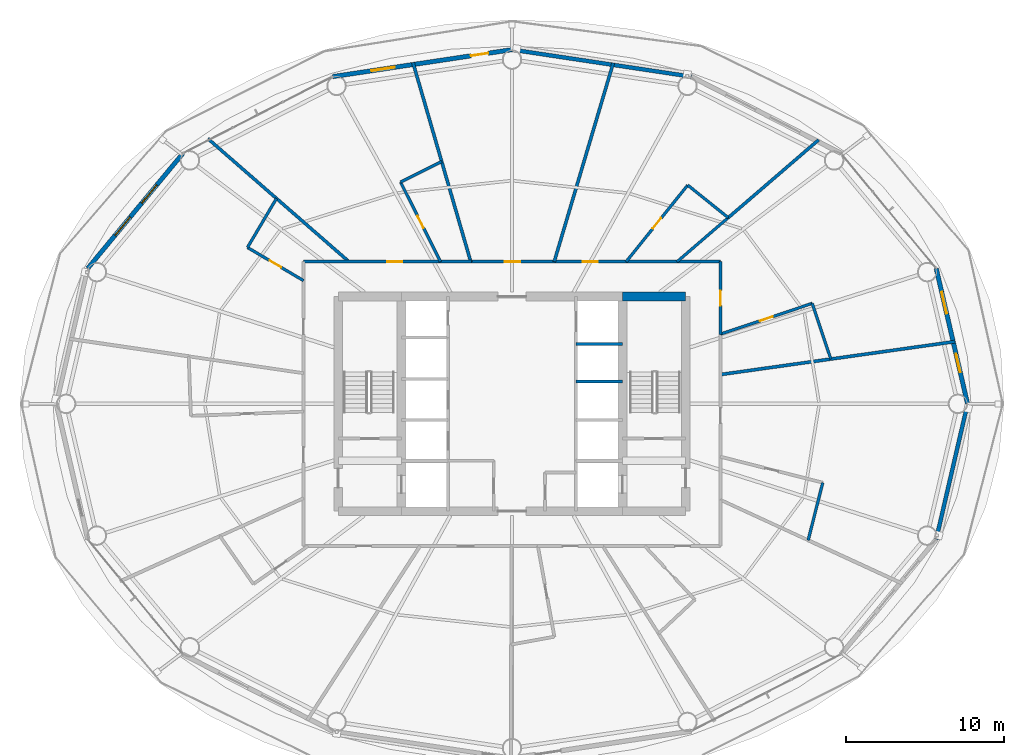
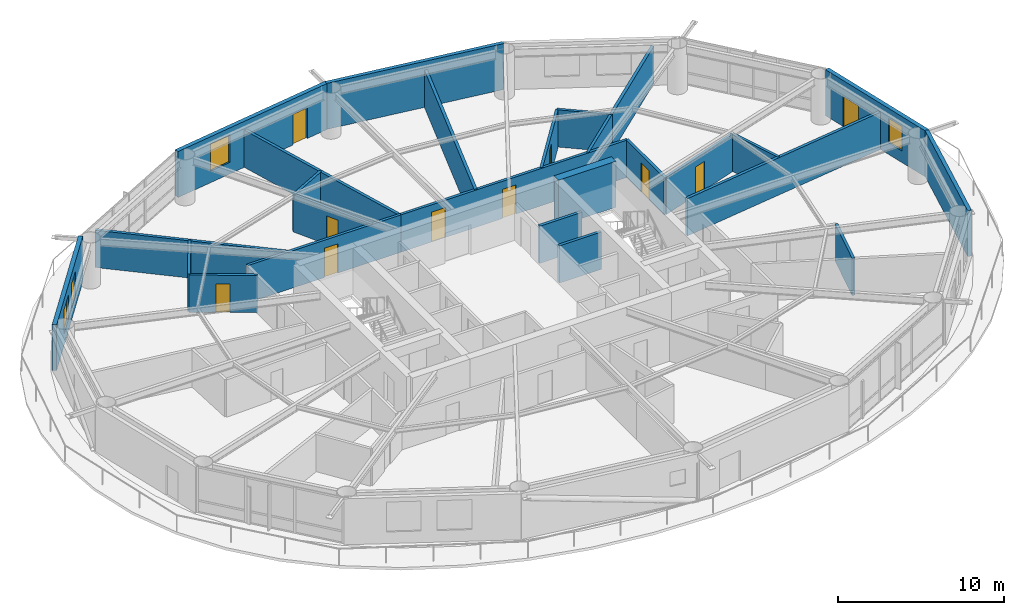
# One storey, part 20 of 24: 26 walls, 10 doors, 4 windows, 14 openings.
"""IFC4 building model written with IfcOpenShell, lengths in metres."""

from ifc_helpers import new_model, si_unit, direction, frame, frame_2d, origin, place, context, subcontext, project, spatial, rectangle, extrude, material, layer, layer_set, type_object, element, fill, save


model = new_model("IFC4")

# Units and contexts
model_context = context("Model", 3, precision=1e-05, world=origin(), true_north=direction((0.0, 1.0)))
body_context = subcontext(model_context, "Body", "Model", "MODEL_VIEW")
ifc_project = project(units=[si_unit("LENGTHUNIT", "METRE"), si_unit("AREAUNIT", "SQUARE_METRE"), si_unit("VOLUMEUNIT", "CUBIC_METRE"), si_unit("PLANEANGLEUNIT", "RADIAN"), si_unit("MASSUNIT", "GRAM", prefix="KILO")], contexts=[model_context])

# Site, building, storey
site_placement = place(None, origin())
site = spatial("IfcSite", under=ifc_project, at=site_placement, CompositionType="ELEMENT")
building_placement = place(site_placement, origin())
building = spatial("IfcBuilding", under=site, at=building_placement, Name="Sarneth Arch Tower", CompositionType="ELEMENT")
storey_placement = place(building_placement, frame((0.0, 0.0, 116.39990234375)))
storey = spatial("IfcBuildingStorey", under=building, at=storey_placement, Name="L29", CompositionType="ELEMENT", Elevation=116.39990234375)

# Wall
ifc_material_1 = material(Name="Concrete C60/75", Category="concrete")
ifc_layer_1 = layer(ifc_material_1, 0.550048828125)
ifc_layer_set_1 = layer_set([ifc_layer_1], Name="Concrete C60/75")
wall_type_1 = type_object("IfcWallType", Name="WALL-CORE-550", PredefinedType="SHEAR", material=ifc_layer_set_1)
wall_1_placement = place(storey_placement, frame((55.0, 48.800048828125, 0.0), z_axis=(0.0, 0.0, 1.0), x_axis=(1.0, 0.0, 0.0)))
element("IfcWall", 1, at=wall_1_placement, inside=storey, type_object=wall_type_1, Name="L29 Core shear wall N-E", PredefinedType="SHEAR", context=body_context, shape_type="SweptSolid", body=[
    extrude(rectangle(XDim=4.0, YDim=0.550048828125, at=frame_2d((2.0, 0.0))), origin(), (0.0, 0.0, 1.0), 3.380126953125),
])

# Wall, opening, door
ifc_material_2 = material(Name="Double steel-stud corridor fire wall", Category="steel")
ifc_layer_2 = layer(ifc_material_2, 0.18994140625)
ifc_layer_set_2 = layer_set([ifc_layer_2], Name="Double steel-stud corridor fire wall")
wall_type_2 = type_object("IfcWallType", Name="WALL-CORR-190", PredefinedType="PARTITIONING", material=ifc_layer_set_2)
wall_2_placement = place(storey_placement, frame((34.800048828125, 51.0, 0.0), z_axis=(0.0, 0.0, 1.0), x_axis=(1.0, 0.0, 0.0)))
wall_2 = element("IfcWall", 2, at=wall_2_placement, inside=storey, type_object=wall_type_2, Name="L29 Interior partition W-L29-TP-007", PredefinedType="PARTITIONING", context=body_context, shape_type="SweptSolid", body=[
    extrude(rectangle(XDim=10.62158203125, YDim=0.18994140625, at=frame_2d((5.310791015625, 0.0))), origin(), (0.0, 0.0, 1.0), 2.739990234375),
])
opening_1_placement = place(wall_2_placement, frame((5.296875, 0.0, 0.0)))
opening_1 = element("IfcOpeningElement", 3, at=opening_1_placement, cuts=wall_2, Name="Opening FD-09", PredefinedType="OPENING", context=body_context, shape_type="SweptSolid", body=[
    extrude(rectangle(XDim=0.949951171875, YDim=2.14990234375, at=frame_2d((0.47509765625, 1.074951171875))), frame((0.0, 0.10498046875, 0.0), z_axis=(0.0, -1.0, 0.0), x_axis=(1.0, 0.0, 0.0)), (0.0, 0.0, 1.0), 0.2099609375),
])
ifc_material_3 = material(Name="Hardwood timber hotel entrance fire door", Category="wood")
door_type_1 = type_object("IfcDoorType", Name="DR-FD60-950", OperationType="SINGLE_SWING_RIGHT", PredefinedType="DOOR", material=ifc_material_3)
door_1_placement = place(opening_1_placement, origin())
door_1 = element("IfcDoor", 4, at=door_1_placement, inside=storey, type_object=door_type_1, Name="L29 Interior door DR-L29-KEY-04", OperationType="SINGLE_SWING_LEFT", OverallHeight=2.14990234375, OverallWidth=0.949951171875, PredefinedType="DOOR", context=body_context, shape_type="SweptSolid", body=[
    extrude(rectangle(XDim=0.949951171875, YDim=2.14990234375, at=frame_2d((0.47509765625, 1.074951171875))), frame((0.0, 0.02490234375, 0.0), z_axis=(0.0, -1.0, 0.0), x_axis=(1.0, 0.0, 0.0)), (0.0, 0.0, 1.0), 0.050048828125),
])
fill(opening_1, door_1)

# Wall, openings, doors
wall_3_placement = place(storey_placement, frame((45.35498046875, 51.0, 0.0), z_axis=(0.0, 0.0, 1.0), x_axis=(1.0, 0.0, 0.0)))
wall_3 = element("IfcWall", 5, at=wall_3_placement, inside=storey, type_object=wall_type_2, Name="L29 Interior partition W-L29-TP-006", PredefinedType="PARTITIONING", context=body_context, shape_type="SweptSolid", body=[
    extrude(rectangle(XDim=15.844970703125, YDim=0.18994140625, at=frame_2d((7.92236328125, 0.0))), origin(), (0.0, 0.0, 1.0), 2.739990234375),
])
opening_2_placement = place(wall_3_placement, frame((2.176025390625, 0.0, 0.0)))
opening_2 = element("IfcOpeningElement", 6, at=opening_2_placement, cuts=wall_3, Name="Opening FD-08", PredefinedType="OPENING", context=body_context, shape_type="SweptSolid", body=[
    extrude(rectangle(XDim=1.0, YDim=2.199951171875, at=frame_2d((0.5, 1.10009765625))), frame((0.0, 0.10498046875, 0.0), z_axis=(0.0, -1.0, 0.0), x_axis=(1.0, 0.0, 0.0)), (0.0, 0.0, 1.0), 0.2099609375),
])
opening_3_placement = place(wall_3_placement, frame((7.125, 0.0, 0.0)))
opening_3 = element("IfcOpeningElement", 7, at=opening_3_placement, cuts=wall_3, Name="Opening FD-09", PredefinedType="OPENING", context=body_context, shape_type="SweptSolid", body=[
    extrude(rectangle(XDim=0.949951171875, YDim=2.14990234375, at=frame_2d((0.47509765625, 1.074951171875))), frame((0.0, 0.10498046875, 0.0), z_axis=(0.0, -1.0, 0.0), x_axis=(1.0, 0.0, 0.0)), (0.0, 0.0, 1.0), 0.2099609375),
])
ifc_material_4 = material(Name="Hardwood timber acoustic fire door", Category="wood")
door_type_2 = type_object("IfcDoorType", Name="DR-FD60-1000", OperationType="SINGLE_SWING_LEFT", PredefinedType="DOOR", material=ifc_material_4)
door_2_placement = place(opening_2_placement, origin())
door_2 = element("IfcDoor", 8, at=door_2_placement, inside=storey, type_object=door_type_2, Name="L29 Interior door DR-L29-AMN-03", OperationType="SINGLE_SWING_RIGHT", OverallHeight=2.199951171875, OverallWidth=1.0, PredefinedType="DOOR", context=body_context, shape_type="SweptSolid", body=[
    extrude(rectangle(XDim=1.0, YDim=2.199951171875, at=frame_2d((0.5, 1.10009765625))), frame((0.0, 0.02490234375, 0.0), z_axis=(0.0, -1.0, 0.0), x_axis=(1.0, 0.0, 0.0)), (0.0, 0.0, 1.0), 0.050048828125),
])
fill(opening_2, door_2)
door_3_placement = place(opening_3_placement, origin())
door_3 = element("IfcDoor", 9, at=door_3_placement, inside=storey, type_object=door_type_1, Name="L29 Interior door DR-L29-KEY-02", OperationType="SINGLE_SWING_RIGHT", OverallHeight=2.14990234375, OverallWidth=0.949951171875, PredefinedType="DOOR", context=body_context, shape_type="SweptSolid", body=[
    extrude(rectangle(XDim=0.949951171875, YDim=2.14990234375, at=frame_2d((0.47509765625, 1.074951171875))), frame((0.0, 0.02490234375, 0.0), z_axis=(0.0, -1.0, 0.0), x_axis=(1.0, 0.0, 0.0)), (0.0, 0.0, 1.0), 0.050048828125),
])
fill(opening_3, door_3)

# Wall, opening, door
wall_4_placement = place(storey_placement, frame((61.199951171875, 51.0, 0.0), z_axis=(0.0, 0.0, 1.0), x_axis=(0.0, -1.0, 0.0)))
wall_4 = element("IfcWall", 10, at=wall_4_placement, inside=storey, type_object=wall_type_2, Name="L29 Interior partition W-L29-TP-002", PredefinedType="PARTITIONING", context=body_context, shape_type="SweptSolid", body=[
    extrude(rectangle(XDim=4.616943359375, YDim=0.18994140625, at=frame_2d((2.30859375, 0.0))), origin(), (0.0, 0.0, 1.0), 2.739990234375),
])
opening_4_placement = place(wall_4_placement, frame((1.83349609375, 0.0, 0.0)))
opening_4 = element("IfcOpeningElement", 11, at=opening_4_placement, cuts=wall_4, Name="Opening FD-09", PredefinedType="OPENING", context=body_context, shape_type="SweptSolid", body=[
    extrude(rectangle(XDim=0.949951171875, YDim=2.14990234375, at=frame_2d((0.47509765625, 1.074951171875))), frame((0.0, 0.10498046875, 0.0), z_axis=(0.0, -1.0, 0.0), x_axis=(1.0, 0.0, 0.0)), (0.0, 0.0, 1.0), 0.2099609375),
])
door_4_placement = place(opening_4_placement, origin())
door_4 = element("IfcDoor", 12, at=door_4_placement, inside=storey, type_object=door_type_1, Name="L29 Interior door DR-L29-KEY-01", OperationType="SINGLE_SWING_LEFT", OverallHeight=2.14990234375, OverallWidth=0.949951171875, PredefinedType="DOOR", context=body_context, shape_type="SweptSolid", body=[
    extrude(rectangle(XDim=0.949951171875, YDim=2.14990234375, at=frame_2d((0.47509765625, 1.074951171875))), frame((0.0, 0.02490234375, 0.0), z_axis=(0.0, -1.0, 0.0), x_axis=(1.0, 0.0, 0.0)), (0.0, 0.0, 1.0), 0.050048828125),
])
fill(opening_4, door_4)

# Walls
ifc_material_5 = material(Name="Extruded terracotta rainscreen on Concrete C40/50 backing", Category="masonry")
ifc_layer_3 = layer(ifc_material_5, 0.25)
ifc_layer_set_3 = layer_set([ifc_layer_3], Name="Extruded terracotta rainscreen on Concrete C40/50 backing")
wall_type_3 = type_object("IfcWallType", Name="WALL-EXT-SPAND-250", PredefinedType="SOLIDWALL", material=ifc_layer_set_3)
wall_5_placement = place(storey_placement, frame((59.351318359375, 62.72265625, 0.0), z_axis=(0.0, 0.0, 1.0), x_axis=(-0.988877774656, 0.148730450117, 0.0)))
element("IfcWall", 13, at=wall_5_placement, inside=storey, type_object=wall_type_3, Name="L29 Terracotta perimeter wall 04", PredefinedType="SOLIDWALL", context=body_context, shape_type="SweptSolid", body=[
    extrude(rectangle(XDim=11.47900390625, YDim=0.25, at=frame_2d((5.739501953125, 0.0))), origin(), (0.0, 0.0, 1.0), 3.380126953125),
])
wall_6_placement = place(storey_placement, frame((74.861328125, 33.41650390625, 0.0), z_axis=(0.0, 0.0, 1.0), x_axis=(0.22558597182, 0.974223264616, 0.0)))
element("IfcWall", 14, at=wall_6_placement, inside=storey, type_object=wall_type_3, Name="L29 Terracotta perimeter wall 16", PredefinedType="SOLIDWALL", context=body_context, shape_type="SweptSolid", body=[
    extrude(rectangle(XDim=8.810546875, YDim=0.25, at=frame_2d((4.4052734375, 0.0))), origin(), (0.0, 0.0, 1.0), 3.380126953125),
])

# Wall, openings, door, window
ifc_material_6 = material(Name="Extruded terracotta rainscreen on Concrete C40/50 backing", Category="masonry")
ifc_layer_4 = layer(ifc_material_6, 0.280029296875)
ifc_layer_set_4 = layer_set([ifc_layer_4], Name="Extruded terracotta rainscreen on Concrete C40/50 backing")
wall_type_4 = type_object("IfcWallType", Name="WALL-EXT-TERRA-280", PredefinedType="SOLIDWALL", material=ifc_layer_set_4)
wall_7_placement = place(storey_placement, frame((76.848876953125, 42.0, 0.0), z_axis=(0.0, 0.0, 1.0), x_axis=(-0.22558597182, 0.974223264616, 0.0)))
wall_7 = element("IfcWall", 15, at=wall_7_placement, inside=storey, type_object=wall_type_4, Name="L29 Terracotta perimeter wall 01", PredefinedType="SOLIDWALL", context=body_context, shape_type="SweptSolid", body=[
    extrude(rectangle(XDim=8.810546875, YDim=0.280029296875, at=frame_2d((4.4052734375, 0.0))), origin(), (0.0, 0.0, 1.0), 3.380126953125),
])
opening_5_placement = place(wall_7_placement, frame((2.05419921875, 0.0, 0.85009765625)))
opening_5 = element("IfcOpeningElement", 16, at=opening_5_placement, cuts=wall_7, Name="Opening W-09", PredefinedType="OPENING", context=body_context, shape_type="SweptSolid", body=[
    extrude(rectangle(XDim=1.199951171875, YDim=1.800048828125, at=frame_2d((0.60009765625, 0.89990234375))), frame((0.0, 0.14990234375, 0.0), z_axis=(0.0, -1.0, 0.0), x_axis=(1.0, 0.0, 0.0)), (0.0, 0.0, 1.0), 0.300048828125),
])
opening_6_placement = place(wall_7_placement, frame((5.87451171875, 0.0, 0.0)))
opening_6 = element("IfcOpeningElement", 17, at=opening_6_placement, cuts=wall_7, Name="Opening BD-2", PredefinedType="OPENING", context=body_context, shape_type="SweptSolid", body=[
    extrude(rectangle(XDim=1.39990234375, YDim=2.199951171875, at=frame_2d((0.699951171875, 1.10009765625))), frame((0.0, 0.14990234375, 0.0), z_axis=(0.0, -1.0, 0.0), x_axis=(1.0, 0.0, 0.0)), (0.0, 0.0, 1.0), 0.300048828125),
])
ifc_material_7 = material(Name="Thermally broken Aluminium 6063-T6 and laminated safety glass", Category="aluminium")
door_type_3 = type_object("IfcDoorType", Name="DR-BALC-GLZ-1400", OperationType="SINGLE_SWING_LEFT", PredefinedType="DOOR", material=ifc_material_7)
door_5_placement = place(opening_6_placement, origin())
door_5 = element("IfcDoor", 18, at=door_5_placement, inside=storey, type_object=door_type_3, Name="L29 Balcony glazed door 01", OperationType="SINGLE_SWING_LEFT", OverallHeight=2.199951171875, OverallWidth=1.39990234375, PredefinedType="DOOR", context=body_context, shape_type="SweptSolid", body=[
    extrude(rectangle(XDim=1.39990234375, YDim=2.199951171875, at=frame_2d((0.699951171875, 1.10009765625))), frame((0.0, 0.02490234375, 0.0), z_axis=(0.0, -1.0, 0.0), x_axis=(1.0, 0.0, 0.0)), (0.0, 0.0, 1.0), 0.050048828125),
])
fill(opening_6, door_5)
ifc_material_8 = material(Name="Thermally broken Aluminium 6063-T6 and low-e laminated IGU", Category="aluminium")
window_type_1 = type_object("IfcWindowType", Name="WIN-TWR-1200x1800", PartitioningType="SINGLE_PANEL", PredefinedType="WINDOW", material=ifc_material_8)
window_1_placement = place(opening_5_placement, origin())
window_1 = element("IfcWindow", 19, at=window_1_placement, inside=storey, type_object=window_type_1, Name="L29 Exterior window 01A", OverallHeight=1.800048828125, OverallWidth=1.199951171875, PartitioningType="SINGLE_PANEL", PredefinedType="WINDOW", context=body_context, shape_type="SweptSolid", body=[
    extrude(rectangle(XDim=1.199951171875, YDim=1.800048828125, at=frame_2d((0.60009765625, 0.89990234375))), frame((0.0, 0.030029296875, 0.0), z_axis=(0.0, -1.0, 0.0), x_axis=(1.0, 0.0, 0.0)), (0.0, 0.0, 1.0), 0.06005859375),
])
fill(opening_5, window_1)

wall_8_placement = place(storey_placement, frame((48.0, 64.429931640625, 0.0), z_axis=(0.0, 0.0, 1.0), x_axis=(-0.988877774656, -0.148730450117, 0.0)))
wall_8 = element("IfcWall", 20, at=wall_8_placement, inside=storey, type_object=wall_type_4, Name="L29 Terracotta perimeter wall 05", PredefinedType="SOLIDWALL", context=body_context, shape_type="SweptSolid", body=[
    extrude(rectangle(XDim=11.47900390625, YDim=0.280029296875, at=frame_2d((5.739501953125, 0.0))), origin(), (0.0, 0.0, 1.0), 3.380126953125),
])
opening_7_placement = place(wall_8_placement, frame((1.523681640625, 0.0, 0.0)))
opening_7 = element("IfcOpeningElement", 21, at=opening_7_placement, cuts=wall_8, Name="Opening BD-3", PredefinedType="OPENING", context=body_context, shape_type="SweptSolid", body=[
    extrude(rectangle(XDim=1.10009765625, YDim=2.25, at=frame_2d((0.550048828125, 1.125))), frame((0.0, 0.14990234375, 0.0), z_axis=(0.0, -1.0, 0.0), x_axis=(1.0, 0.0, 0.0)), (0.0, 0.0, 1.0), 0.300048828125),
])
opening_8_placement = place(wall_8_placement, frame((7.5, 0.0, 0.85009765625)))
opening_8 = element("IfcOpeningElement", 22, at=opening_8_placement, cuts=wall_8, Name="Opening W-06", PredefinedType="OPENING", context=body_context, shape_type="SweptSolid", body=[
    extrude(rectangle(XDim=1.5, YDim=2.0, at=frame_2d((0.75, 1.0))), frame((0.0, 0.14990234375, 0.0), z_axis=(0.0, -1.0, 0.0), x_axis=(1.0, 0.0, 0.0)), (0.0, 0.0, 1.0), 0.300048828125),
])
ifc_material_9 = material(Name="Thermally broken Aluminium 6063-T6 and laminated safety glass", Category="aluminium")
door_type_4 = type_object("IfcDoorType", Name="DR-BALC-GLZ-1100", OperationType="SINGLE_SWING_LEFT", PredefinedType="DOOR", material=ifc_material_9)
door_6_placement = place(opening_7_placement, origin())
door_6 = element("IfcDoor", 23, at=door_6_placement, inside=storey, type_object=door_type_4, Name="L29 Balcony glazed door 05", OperationType="SINGLE_SWING_LEFT", OverallHeight=2.25, OverallWidth=1.10009765625, PredefinedType="DOOR", context=body_context, shape_type="SweptSolid", body=[
    extrude(rectangle(XDim=1.10009765625, YDim=2.25, at=frame_2d((0.550048828125, 1.125))), frame((0.0, 0.02490234375, 0.0), z_axis=(0.0, -1.0, 0.0), x_axis=(1.0, 0.0, 0.0)), (0.0, 0.0, 1.0), 0.050048828125),
])
fill(opening_7, door_6)
ifc_material_10 = material(Name="Thermally broken Aluminium 6063-T6 and low-e laminated IGU", Category="aluminium")
window_type_2 = type_object("IfcWindowType", Name="WIN-TWR-1500x2000", PartitioningType="SINGLE_PANEL", PredefinedType="WINDOW", material=ifc_material_10)
window_2_placement = place(opening_8_placement, origin())
window_2 = element("IfcWindow", 24, at=window_2_placement, inside=storey, type_object=window_type_2, Name="L29 Exterior window 05A", OverallHeight=2.0, OverallWidth=1.5, PartitioningType="SINGLE_PANEL", PredefinedType="WINDOW", context=body_context, shape_type="SweptSolid", body=[
    extrude(rectangle(XDim=1.5, YDim=2.0, at=frame_2d((0.75, 1.0))), frame((0.0, 0.030029296875, 0.0), z_axis=(0.0, -1.0, 0.0), x_axis=(1.0, 0.0, 0.0)), (0.0, 0.0, 1.0), 0.06005859375),
])
fill(opening_8, window_2)

# Wall, openings, windows
wall_9_placement = place(storey_placement, frame((27.159912109375, 57.8603515625, 0.0), z_axis=(0.0, 0.0, 1.0), x_axis=(-0.637505817448, -0.770445541696, 0.0)))
wall_9 = element("IfcWall", 25, at=wall_9_placement, inside=storey, type_object=wall_type_4, Name="L29 Terracotta perimeter wall 07", PredefinedType="SOLIDWALL", context=body_context, shape_type="SweptSolid", body=[
    extrude(rectangle(XDim=9.445068359375, YDim=0.280029296875, at=frame_2d((4.72265625, 0.0))), origin(), (0.0, 0.0, 1.0), 3.380126953125),
])
opening_9_placement = place(wall_9_placement, frame((2.5966796875, 0.0, 0.85009765625)))
opening_9 = element("IfcOpeningElement", 26, at=opening_9_placement, cuts=wall_9, Name="Opening W-07", PredefinedType="OPENING", context=body_context, shape_type="SweptSolid", body=[
    extrude(rectangle(XDim=1.5, YDim=1.800048828125, at=frame_2d((0.75, 0.89990234375))), frame((0.0, 0.14990234375, 0.0), z_axis=(0.0, -1.0, 0.0), x_axis=(1.0, 0.0, 0.0)), (0.0, 0.0, 1.0), 0.300048828125),
])
opening_10_placement = place(wall_9_placement, frame((5.23193359375, 0.0, 0.85009765625)))
opening_10 = element("IfcOpeningElement", 27, at=opening_10_placement, cuts=wall_9, Name="Opening W-07", PredefinedType="OPENING", context=body_context, shape_type="SweptSolid", body=[
    extrude(rectangle(XDim=1.5, YDim=1.800048828125, at=frame_2d((0.75, 0.89990234375))), frame((0.0, 0.14990234375, 0.0), z_axis=(0.0, -1.0, 0.0), x_axis=(1.0, 0.0, 0.0)), (0.0, 0.0, 1.0), 0.300048828125),
])
ifc_material_11 = material(Name="Thermally broken Aluminium 6063-T6 and low-e laminated IGU", Category="aluminium")
window_type_3 = type_object("IfcWindowType", Name="WIN-TWR-1500x1800", PartitioningType="SINGLE_PANEL", PredefinedType="WINDOW", material=ifc_material_11)
window_3_placement = place(opening_9_placement, origin())
window_3 = element("IfcWindow", 28, at=window_3_placement, inside=storey, type_object=window_type_3, Name="L29 Exterior window 07A", OverallHeight=1.800048828125, OverallWidth=1.5, PartitioningType="SINGLE_PANEL", PredefinedType="WINDOW", context=body_context, shape_type="SweptSolid", body=[
    extrude(rectangle(XDim=1.5, YDim=1.800048828125, at=frame_2d((0.75, 0.89990234375))), frame((0.0, 0.030029296875, 0.0), z_axis=(0.0, -1.0, 0.0), x_axis=(1.0, 0.0, 0.0)), (0.0, 0.0, 1.0), 0.06005859375),
])
fill(opening_9, window_3)
window_4_placement = place(opening_10_placement, origin())
window_4 = element("IfcWindow", 29, at=window_4_placement, inside=storey, type_object=window_type_3, Name="L29 Exterior window 07B", OverallHeight=1.800048828125, OverallWidth=1.5, PartitioningType="SINGLE_PANEL", PredefinedType="WINDOW", context=body_context, shape_type="SweptSolid", body=[
    extrude(rectangle(XDim=1.5, YDim=1.800048828125, at=frame_2d((0.75, 0.89990234375))), frame((0.0, 0.030029296875, 0.0), z_axis=(0.0, -1.0, 0.0), x_axis=(1.0, 0.0, 0.0)), (0.0, 0.0, 1.0), 0.06005859375),
])
fill(opening_10, window_4)

# Wall, opening, door
ifc_material_12 = material(Name="Moisture-resistant plumbing chase wall", Category="gypsum")
ifc_layer_5 = layer(ifc_material_12, 0.179931640625)
ifc_layer_set_5 = layer_set([ifc_layer_5], Name="Moisture-resistant plumbing chase wall")
wall_type_5 = type_object("IfcWallType", Name="WALL-PLUMB-180", PredefinedType="PLUMBINGWALL", material=ifc_layer_set_5)
wall_10_placement = place(storey_placement, frame((55.22900390625, 51.0, 0.0), z_axis=(0.0, 0.0, 1.0), x_axis=(0.626239129839, 0.779631035977, 0.0)))
wall_10 = element("IfcWall", 30, at=wall_10_placement, inside=storey, type_object=wall_type_5, Name="L29 Interior partition W-L29-TP-031", PredefinedType="PLUMBINGWALL", context=body_context, shape_type="SweptSolid", body=[
    extrude(rectangle(XDim=6.22314453125, YDim=0.179931640625, at=frame_2d((3.111572265625, 0.0))), origin(), (0.0, 0.0, 1.0), 2.739990234375),
])
opening_11_placement = place(wall_10_placement, frame((2.6865234375, 0.0, 0.0)))
opening_11 = element("IfcOpeningElement", 31, at=opening_11_placement, cuts=wall_10, Name="Opening ID-02", PredefinedType="OPENING", context=body_context, shape_type="SweptSolid", body=[
    extrude(rectangle(XDim=0.85009765625, YDim=2.10009765625, at=frame_2d((0.425048828125, 1.050048828125))), frame((0.0, 0.099853515625, 0.0), z_axis=(0.0, -1.0, 0.0), x_axis=(1.0, 0.0, 0.0)), (0.0, 0.0, 1.0), 0.199951171875),
])
ifc_material_13 = material(Name="Moisture-resistant bathroom timber door", Category="wood")
door_type_5 = type_object("IfcDoorType", Name="DR-INT-850", OperationType="SINGLE_SWING_RIGHT", PredefinedType="DOOR", material=ifc_material_13)
door_7_placement = place(opening_11_placement, origin())
door_7 = element("IfcDoor", 32, at=door_7_placement, inside=storey, type_object=door_type_5, Name="L29 Interior door DR-L29-ENS-02", OperationType="SINGLE_SWING_LEFT", OverallHeight=2.10009765625, OverallWidth=0.85009765625, PredefinedType="DOOR", context=body_context, shape_type="SweptSolid", body=[
    extrude(rectangle(XDim=0.85009765625, YDim=2.10009765625, at=frame_2d((0.425048828125, 1.050048828125))), frame((0.0, 0.02490234375, 0.0), z_axis=(0.0, -1.0, 0.0), x_axis=(1.0, 0.0, 0.0)), (0.0, 0.0, 1.0), 0.050048828125),
])
fill(opening_11, door_7)

wall_11_placement = place(storey_placement, frame((67.01220703125, 48.361328125, 0.0), z_axis=(0.0, 0.0, 1.0), x_axis=(-0.948332174456, -0.317279193915, 0.0)))
wall_11 = element("IfcWall", 33, at=wall_11_placement, inside=storey, type_object=wall_type_5, Name="L29 Interior partition W-L29-TP-026", PredefinedType="PLUMBINGWALL", context=body_context, shape_type="SweptSolid", body=[
    extrude(rectangle(XDim=6.12890625, YDim=0.179931640625, at=frame_2d((3.064453125, 0.0))), origin(), (0.0, 0.0, 1.0), 2.739990234375),
])
opening_12_placement = place(wall_11_placement, frame((2.639404296875, 0.0, 0.0)))
opening_12 = element("IfcOpeningElement", 34, at=opening_12_placement, cuts=wall_11, Name="Opening ID-02", PredefinedType="OPENING", context=body_context, shape_type="SweptSolid", body=[
    extrude(rectangle(XDim=0.85009765625, YDim=2.10009765625, at=frame_2d((0.425048828125, 1.050048828125))), frame((0.0, 0.099853515625, 0.0), z_axis=(0.0, -1.0, 0.0), x_axis=(1.0, 0.0, 0.0)), (0.0, 0.0, 1.0), 0.199951171875),
])
door_8_placement = place(opening_12_placement, origin())
door_8 = element("IfcDoor", 35, at=door_8_placement, inside=storey, type_object=door_type_5, Name="L29 Interior door DR-L29-ENS-01", OperationType="SINGLE_SWING_LEFT", OverallHeight=2.10009765625, OverallWidth=0.85009765625, PredefinedType="DOOR", context=body_context, shape_type="SweptSolid", body=[
    extrude(rectangle(XDim=0.85009765625, YDim=2.10009765625, at=frame_2d((0.425048828125, 1.050048828125))), frame((0.0, 0.02490234375, 0.0), z_axis=(0.0, -1.0, 0.0), x_axis=(1.0, 0.0, 0.0)), (0.0, 0.0, 1.0), 0.050048828125),
])
fill(opening_12, door_8)

wall_12_placement = place(storey_placement, frame((40.94482421875, 56.03857421875, 0.0), z_axis=(0.0, 0.0, 1.0), x_axis=(0.44904833135, -0.893507468414, 0.0)))
wall_12 = element("IfcWall", 36, at=wall_12_placement, inside=storey, type_object=wall_type_5, Name="L29 Interior partition W-L29-TP-037", PredefinedType="PLUMBINGWALL", context=body_context, shape_type="SweptSolid", body=[
    extrude(rectangle(XDim=5.63916015625, YDim=0.179931640625, at=frame_2d((2.819580078125, 0.0))), origin(), (0.0, 0.0, 1.0), 2.739990234375),
])
opening_13_placement = place(wall_12_placement, frame((2.39453125, 0.0, 0.0)))
opening_13 = element("IfcOpeningElement", 37, at=opening_13_placement, cuts=wall_12, Name="Opening ID-02", PredefinedType="OPENING", context=body_context, shape_type="SweptSolid", body=[
    extrude(rectangle(XDim=0.85009765625, YDim=2.10009765625, at=frame_2d((0.425048828125, 1.050048828125))), frame((0.0, 0.099853515625, 0.0), z_axis=(0.0, -1.0, 0.0), x_axis=(1.0, 0.0, 0.0)), (0.0, 0.0, 1.0), 0.199951171875),
])
door_9_placement = place(opening_13_placement, origin())
door_9 = element("IfcDoor", 38, at=door_9_placement, inside=storey, type_object=door_type_5, Name="L29 Interior door DR-L29-ENS-04", OperationType="SINGLE_SWING_RIGHT", OverallHeight=2.10009765625, OverallWidth=0.85009765625, PredefinedType="DOOR", context=body_context, shape_type="SweptSolid", body=[
    extrude(rectangle(XDim=0.85009765625, YDim=2.10009765625, at=frame_2d((0.425048828125, 1.050048828125))), frame((0.0, 0.02490234375, 0.0), z_axis=(0.0, -1.0, 0.0), x_axis=(1.0, 0.0, 0.0)), (0.0, 0.0, 1.0), 0.050048828125),
])
fill(opening_13, door_9)

# Wall
wall_13_placement = place(storey_placement, frame((61.693603515625, 53.78955078125, 0.0), z_axis=(0.0, 0.0, 1.0), x_axis=(-0.757844088621, -0.652435695945, 0.0)))
element("IfcWall", 39, at=wall_13_placement, inside=storey, type_object=wall_type_5, Name="L29 Interior partition W-L29-TP-028", PredefinedType="PLUMBINGWALL", context=body_context, shape_type="SweptSolid", body=[
    extrude(rectangle(XDim=4.275634765625, YDim=0.179931640625, at=frame_2d((2.1376953125, 0.0))), origin(), (0.0, 0.0, 1.0), 2.739990234375),
])

# Wall, opening, door
wall_14_placement = place(storey_placement, frame((31.25, 51.90234375, 0.0), z_axis=(0.0, 0.0, 1.0), x_axis=(0.860833406846, -0.508886869214, 0.0)))
wall_14 = element("IfcWall", 40, at=wall_14_placement, inside=storey, type_object=wall_type_5, Name="L29 Interior partition W-L29-TP-041", PredefinedType="PLUMBINGWALL", context=body_context, shape_type="SweptSolid", body=[
    extrude(rectangle(XDim=4.1240234375, YDim=0.179931640625, at=frame_2d((2.06201171875, 0.0))), origin(), (0.0, 0.0, 1.0), 2.739990234375),
])
opening_14_placement = place(wall_14_placement, frame((1.636962890625, 0.0, 0.0)))
opening_14 = element("IfcOpeningElement", 41, at=opening_14_placement, cuts=wall_14, Name="Opening ID-02", PredefinedType="OPENING", context=body_context, shape_type="SweptSolid", body=[
    extrude(rectangle(XDim=0.85009765625, YDim=2.10009765625, at=frame_2d((0.425048828125, 1.050048828125))), frame((0.0, 0.099853515625, 0.0), z_axis=(0.0, -1.0, 0.0), x_axis=(1.0, 0.0, 0.0)), (0.0, 0.0, 1.0), 0.199951171875),
])
door_10_placement = place(opening_14_placement, origin())
door_10 = element("IfcDoor", 42, at=door_10_placement, inside=storey, type_object=door_type_5, Name="L29 Interior door DR-L29-ENS-05", OperationType="SINGLE_SWING_RIGHT", OverallHeight=2.10009765625, OverallWidth=0.85009765625, PredefinedType="DOOR", context=body_context, shape_type="SweptSolid", body=[
    extrude(rectangle(XDim=0.85009765625, YDim=2.10009765625, at=frame_2d((0.425048828125, 1.050048828125))), frame((0.0, 0.02490234375, 0.0), z_axis=(0.0, -1.0, 0.0), x_axis=(1.0, 0.0, 0.0)), (0.0, 0.0, 1.0), 0.050048828125),
])
fill(opening_14, door_10)

# Walls
wall_15_placement = place(storey_placement, frame((67.678466796875, 37.010498046875, 0.0), z_axis=(0.0, 0.0, 1.0), x_axis=(-0.245725202551, -0.969339530212, 0.0)))
element("IfcWall", 43, at=wall_15_placement, inside=storey, type_object=wall_type_5, Name="L29 Interior partition W-L29-TP-062", PredefinedType="PLUMBINGWALL", context=body_context, shape_type="SweptSolid", body=[
    extrude(rectangle(XDim=3.7626953125, YDim=0.179931640625, at=frame_2d((1.88134765625, 0.0))), origin(), (0.0, 0.0, 1.0), 2.739990234375),
])
wall_16_placement = place(storey_placement, frame((68.191162109375, 44.837646484375, 0.0), z_axis=(0.0, 0.0, 1.0), x_axis=(-0.317291996527, 0.948327891048, 0.0)))
element("IfcWall", 44, at=wall_16_placement, inside=storey, type_object=wall_type_5, Name="L29 Interior partition W-L29-TP-025", PredefinedType="PLUMBINGWALL", context=body_context, shape_type="SweptSolid", body=[
    extrude(rectangle(XDim=3.715576171875, YDim=0.179931640625, at=frame_2d((1.85791015625, 0.0))), origin(), (0.0, 0.0, 1.0), 2.739990234375),
])
wall_17_placement = place(storey_placement, frame((33.085205078125, 55.006591796875, 0.0), z_axis=(0.0, 0.0, 1.0), x_axis=(-0.508909491775, -0.860820032981, 0.0)))
element("IfcWall", 45, at=wall_17_placement, inside=storey, type_object=wall_type_5, Name="L29 Interior partition W-L29-TP-040", PredefinedType="PLUMBINGWALL", context=body_context, shape_type="SweptSolid", body=[
    extrude(rectangle(XDim=3.606201171875, YDim=0.179931640625, at=frame_2d((1.80322265625, 0.0))), origin(), (0.0, 0.0, 1.0), 2.739990234375),
])
wall_18_placement = place(storey_placement, frame((59.126220703125, 55.851806640625, 0.0), z_axis=(0.0, 0.0, 1.0), x_axis=(0.779630447666, -0.626239862251, 0.0)))
element("IfcWall", 46, at=wall_18_placement, inside=storey, type_object=wall_type_5, Name="L29 Interior partition W-L29-TP-032", PredefinedType="PLUMBINGWALL", context=body_context, shape_type="SweptSolid", body=[
    extrude(rectangle(XDim=3.29296875, YDim=0.179931640625, at=frame_2d((1.646484375, 0.0))), origin(), (0.0, 0.0, 1.0), 2.739990234375),
])
wall_19_placement = place(storey_placement, frame((43.546875, 57.34619140625, 0.0), z_axis=(0.0, 0.0, 1.0), x_axis=(-0.893519933294, -0.449023528122, 0.0)))
element("IfcWall", 47, at=wall_19_placement, inside=storey, type_object=wall_type_5, Name="L29 Interior partition W-L29-TP-036", PredefinedType="PLUMBINGWALL", context=body_context, shape_type="SweptSolid", body=[
    extrude(rectangle(XDim=2.912109375, YDim=0.179931640625, at=frame_2d((1.4560546875, 0.0))), origin(), (0.0, 0.0, 1.0), 2.739990234375),
])
ifc_material_14 = material(Name="Aerated concrete blockwork C25/30", Category="masonry")
ifc_layer_6 = layer(ifc_material_14, 0.199951171875)
ifc_layer_set_6 = layer_set([ifc_layer_6], Name="Aerated concrete blockwork C25/30")
wall_type_6 = type_object("IfcWallType", Name="WALL-SHAFT-200", PredefinedType="SOLIDWALL", material=ifc_layer_set_6)
for number, where, z_axis, x_axis, name in (
    (48, (52.050048828125, 43.419921875, 0.0), (0.0, 0.0, 1.0), (1.0, 0.0, 0.0), "L29 Interior partition W-L29-EB-DIV-4342"),
    (49, (52.050048828125, 45.800048828125, 0.0), (0.0, 0.0, 1.0), (1.0, 0.0, 0.0), "L29 Interior partition W-L29-EB-DIV-4580"),
):
    element("IfcWall", number, at=place(storey_placement, frame(where, z_axis=z_axis, x_axis=x_axis)), inside=storey, type_object=wall_type_6, Name=name, PredefinedType="SOLIDWALL", context=body_context, shape_type="SweptSolid", body=[
        extrude(rectangle(XDim=2.949951171875, YDim=0.199951171875, at=frame_2d((1.47509765625, 0.0))), origin(), (0.0, 0.0, 1.0), 2.739990234375),
    ])
ifc_material_15 = material(Name="Double steel-stud acoustic drywall", Category="steel")
ifc_layer_7 = layer(ifc_material_15, 0.199951171875)
ifc_layer_set_7 = layer_set([ifc_layer_7], Name="Double steel-stud acoustic drywall")
wall_type_7 = type_object("IfcWallType", Name="WALL-UNIT-200", PredefinedType="PARTITIONING", material=ifc_layer_set_7)
wall_20_placement = place(storey_placement, frame((54.41259765625, 63.585693359375, 0.0), z_axis=(0.0, 0.0, 1.0), x_axis=(-0.284782789849, -0.958592073098, 0.0)))
element("IfcWall", 50, at=wall_20_placement, inside=storey, type_object=wall_type_7, Name="L29 Interior partition W-L29-TP-033", PredefinedType="PARTITIONING", context=body_context, shape_type="SweptSolid", body=[
    extrude(rectangle(XDim=13.12939453125, YDim=0.199951171875, at=frame_2d((6.564697265625, 0.0))), origin(), (0.0, 0.0, 1.0), 2.739990234375),
])
wall_21_placement = place(storey_placement, frame((61.199951171875, 43.85498046875, 0.0), z_axis=(0.0, 0.0, 1.0), x_axis=(0.990266848234, 0.139181785048, 0.0)))
element("IfcWall", 51, at=wall_21_placement, inside=storey, type_object=wall_type_7, Name="L29 Interior partition W-L29-TP-029", PredefinedType="PARTITIONING", context=body_context, shape_type="SweptSolid", body=[
    extrude(rectangle(XDim=15.004638671875, YDim=0.199951171875, at=frame_2d((7.50244140625, 0.0))), origin(), (0.0, 0.0, 1.0), 2.739990234375),
])
wall_22_placement = place(storey_placement, frame((67.414794921875, 58.715576171875, 0.0), z_axis=(0.0, 0.0, 1.0), x_axis=(-0.757805222449, -0.652480838668, 0.0)))
element("IfcWall", 52, at=wall_22_placement, inside=storey, type_object=wall_type_7, Name="L29 Interior partition W-L29-TP-027", PredefinedType="PARTITIONING", context=body_context, shape_type="SweptSolid", body=[
    extrude(rectangle(XDim=7.5498046875, YDim=0.199951171875, at=frame_2d((3.77490234375, 0.0))), origin(), (0.0, 0.0, 1.0), 2.739990234375),
])
wall_23_placement = place(storey_placement, frame((45.388427734375, 51.0, 0.0), z_axis=(0.0, 0.0, 1.0), x_axis=(-0.278690680179, 0.960380916502, 0.0)))
element("IfcWall", 53, at=wall_23_placement, inside=storey, type_object=wall_type_7, Name="L29 Interior partition W-L29-TP-035", PredefinedType="PARTITIONING", context=body_context, shape_type="SweptSolid", body=[
    extrude(rectangle(XDim=13.127197265625, YDim=0.199951171875, at=frame_2d((6.5634765625, 0.0))), origin(), (0.0, 0.0, 1.0), 2.739990234375),
])
wall_24_placement = place(storey_placement, frame((37.6796875, 51.0, 0.0), z_axis=(0.0, 0.0, 1.0), x_axis=(-0.753659518717, 0.657265037749, 0.0)))
element("IfcWall", 54, at=wall_24_placement, inside=storey, type_object=wall_type_7, Name="L29 Interior partition W-L29-TP-039", PredefinedType="PARTITIONING", context=body_context, shape_type="SweptSolid", body=[
    extrude(rectangle(XDim=11.86083984375, YDim=0.199951171875, at=frame_2d((5.930419921875, 0.0))), origin(), (0.0, 0.0, 1.0), 2.739990234375),
])

save(model, "model.ifc")
